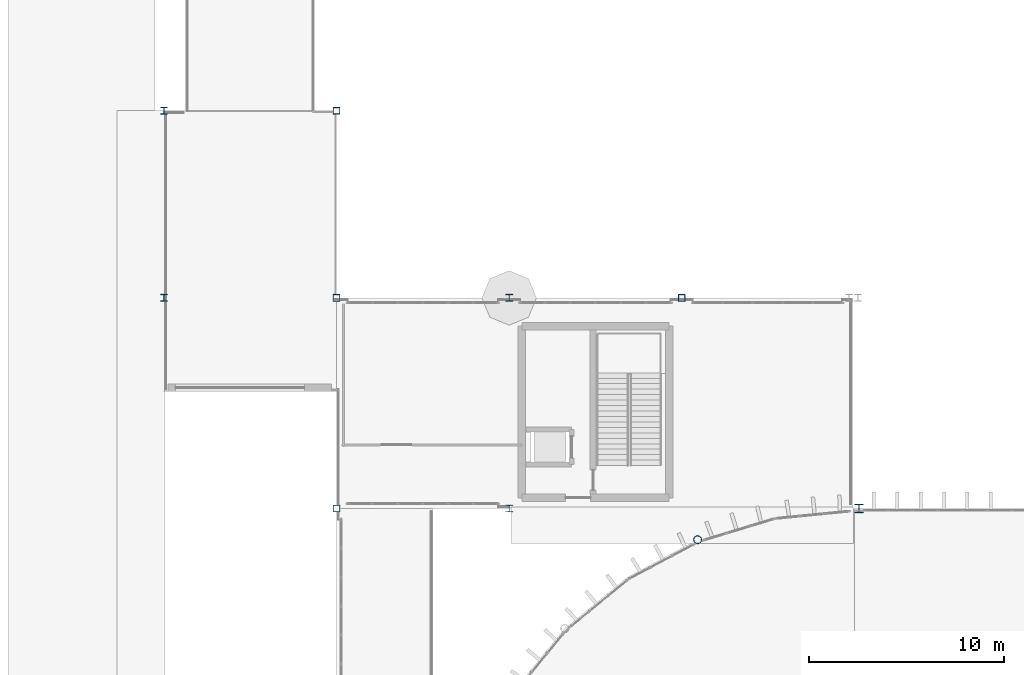
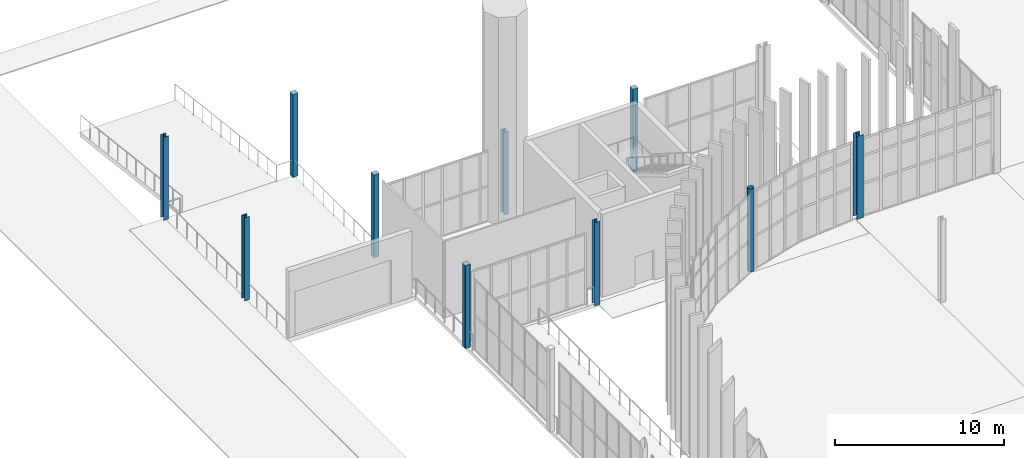
# One storey, part 10 of 139: 10 columns.
"""IFC4 building model written with IfcOpenShell, lengths in metres."""

from ifc_helpers import new_model, si_unit, direction, frame, origin, origin_2d, place, context, subcontext, project, spatial, hollow_rectangle, hollow_circle, i_section, extrude, material, material_profile, profile_set, type_object, element, save


model = new_model("IFC4")

# Units and contexts
model_context = context("Model", 3, precision=1e-05, world=origin(), true_north=direction((0.0, 1.0)))
body_context = subcontext(model_context, "Body", "Model", "MODEL_VIEW")
ifc_project = project(units=[si_unit("LENGTHUNIT", "METRE"), si_unit("AREAUNIT", "SQUARE_METRE"), si_unit("VOLUMEUNIT", "CUBIC_METRE"), si_unit("PLANEANGLEUNIT", "RADIAN"), si_unit("MASSUNIT", "GRAM", prefix="KILO")], contexts=[model_context])

# Site, building, storey
site_placement = place(None, origin())
site = spatial("IfcSite", under=ifc_project, at=site_placement, CompositionType="ELEMENT")
building_placement = place(site_placement, origin())
building = spatial("IfcBuilding", under=site, at=building_placement, Name="Yeouljin Market Hall", CompositionType="ELEMENT")
storey_placement = place(building_placement, origin())
storey = spatial("IfcBuildingStorey", under=building, at=storey_placement, Name="L00", CompositionType="ELEMENT", Elevation=0.0)

# Columns
ifc_material_1 = material(Name="Steel SM355", Category="steel")
ifc_material_profile_1 = material_profile(ifc_material_1, hollow_circle(Radius=0.203125, WallThickness=0.011962890625, at=origin_2d()), Name="CHS-406.4x12")
ifc_profile_set_1 = profile_set([ifc_material_profile_1], Name="Steel SM355")
column_type_1 = type_object("IfcColumnType", Name="Col_CHS-406.4x12", PredefinedType="COLUMN", material=ifc_profile_set_1)
column_1_placement = place(storey_placement, frame((27.363525390625, 76.401611328125, 0.0), z_axis=(0.0, 0.0, 1.0), x_axis=(1.0, 0.0, 0.0)))
element("IfcColumn", 1, at=column_1_placement, inside=storey, type_object=column_type_1, Name="Column AP-W14 (L00)", PredefinedType="COLUMN", context=body_context, shape_type="SweptSolid", body=[
    extrude(hollow_circle(Radius=0.203125, WallThickness=0.011962890625, at=origin_2d()), origin(), (0.0, 0.0, 1.0), 6.0),
])
ifc_material_2 = material(Name="Steel SM355", Category="steel")
ifc_material_profile_2 = material_profile(ifc_material_2, i_section(OverallWidth=0.35009765625, OverallDepth=0.35009765625, WebThickness=0.011962890625, FlangeThickness=0.01904296875, FilletRadius=0.02001953125, at=origin_2d()), Name="H-350x350x12x19")
ifc_profile_set_2 = profile_set([ifc_material_profile_2], Name="Steel SM355")
column_type_2 = type_object("IfcColumnType", Name="Col_H-350x350x12x19", PredefinedType="COLUMN", material=ifc_profile_set_2)
for number, where, z_axis, x_axis, name in (
    (2, (0.0, 88.800048828125, 0.0), (0.0, 0.0, 1.0), (1.0, 0.0, 0.0), "Column G-00-09 (L00)"),
    (3, (0.0, 98.39990234375, 0.0), (0.0, 0.0, 1.0), (1.0, 0.0, 0.0), "Column G-00-10 (L00)"),
    (4, (17.699951171875, 78.0, 0.0), (0.0, 0.0, 1.0), (1.0, 0.0, 0.0), "Column G-02-08 (L00)"),
    (5, (17.699951171875, 88.800048828125, 0.0), (0.0, 0.0, 1.0), (1.0, 0.0, 0.0), "Column G-02-09 (L00)"),
):
    element("IfcColumn", number, at=place(storey_placement, frame(where, z_axis=z_axis, x_axis=x_axis)), inside=storey, type_object=column_type_2, Name=name, PredefinedType="COLUMN", context=body_context, shape_type="SweptSolid", body=[
        extrude(i_section(OverallWidth=0.35009765625, OverallDepth=0.35009765625, WebThickness=0.011962890625, FlangeThickness=0.01904296875, FilletRadius=0.02001953125, at=origin_2d()), origin(), (0.0, 0.0, 1.0), 6.0),
    ])
ifc_material_3 = material(Name="Steel SM355", Category="steel")
ifc_material_profile_3 = material_profile(ifc_material_3, i_section(OverallWidth=0.449951171875, OverallDepth=0.449951171875, WebThickness=0.013916015625, FlangeThickness=0.02392578125, FilletRadius=0.02392578125, at=origin_2d()), Name="H-450x450x14x24")
ifc_profile_set_3 = profile_set([ifc_material_profile_3], Name="Steel SM355")
column_type_3 = type_object("IfcColumnType", Name="Col_H-450x450x14x24", PredefinedType="COLUMN", material=ifc_profile_set_3)
column_2_placement = place(storey_placement, frame((35.639892578125, 78.0, 0.0), z_axis=(0.0, 0.0, 1.0), x_axis=(1.0, 0.0, 0.0)))
element("IfcColumn", 6, at=column_2_placement, inside=storey, type_object=column_type_3, Name="Column G-05-08 (L00)", PredefinedType="COLUMN", context=body_context, shape_type="SweptSolid", body=[
    extrude(i_section(OverallWidth=0.449951171875, OverallDepth=0.449951171875, WebThickness=0.013916015625, FlangeThickness=0.02392578125, FilletRadius=0.02392578125, at=origin_2d()), origin(), (0.0, 0.0, 1.0), 6.0),
])
ifc_material_4 = material(Name="Steel SM355", Category="steel")
ifc_material_profile_4 = material_profile(ifc_material_4, hollow_rectangle(XDim=0.35009765625, YDim=0.35009765625, WallThickness=0.011962890625, InnerFilletRadius=0.011962890625, OuterFilletRadius=0.01611328125, at=origin_2d()), Name="SHS-350x350x12")
ifc_profile_set_4 = profile_set([ifc_material_profile_4], Name="Steel SM355")
column_type_4 = type_object("IfcColumnType", Name="Col_SHS-350x350x12", PredefinedType="COLUMN", material=ifc_profile_set_4)
for number, where, z_axis, x_axis, name in (
    (7, (8.85009765625, 78.0, 0.0), (0.0, 0.0, 1.0), (1.0, 0.0, 0.0), "Column G-01-08 (L00)"),
    (8, (8.85009765625, 88.800048828125, 0.0), (0.0, 0.0, 1.0), (1.0, 0.0, 0.0), "Column G-01-09 (L00)"),
    (9, (8.85009765625, 98.39990234375, 0.0), (0.0, 0.0, 1.0), (1.0, 0.0, 0.0), "Column G-01-10 (L00)"),
    (10, (26.550048828125, 88.800048828125, 0.0), (0.0, 0.0, 1.0), (1.0, 0.0, 0.0), "Column G-03-09 (L00)"),
):
    element("IfcColumn", number, at=place(storey_placement, frame(where, z_axis=z_axis, x_axis=x_axis)), inside=storey, type_object=column_type_4, Name=name, PredefinedType="COLUMN", context=body_context, shape_type="SweptSolid", body=[
        extrude(hollow_rectangle(XDim=0.35009765625, YDim=0.35009765625, WallThickness=0.011962890625, InnerFilletRadius=0.011962890625, OuterFilletRadius=0.01611328125, at=origin_2d()), origin(), (0.0, 0.0, 1.0), 6.0),
    ])

save(model, "model.ifc")
